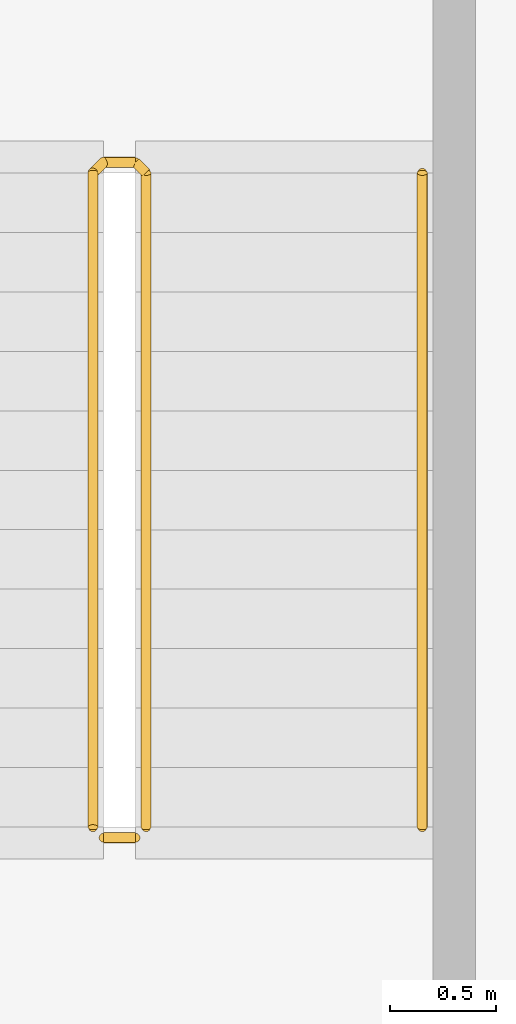
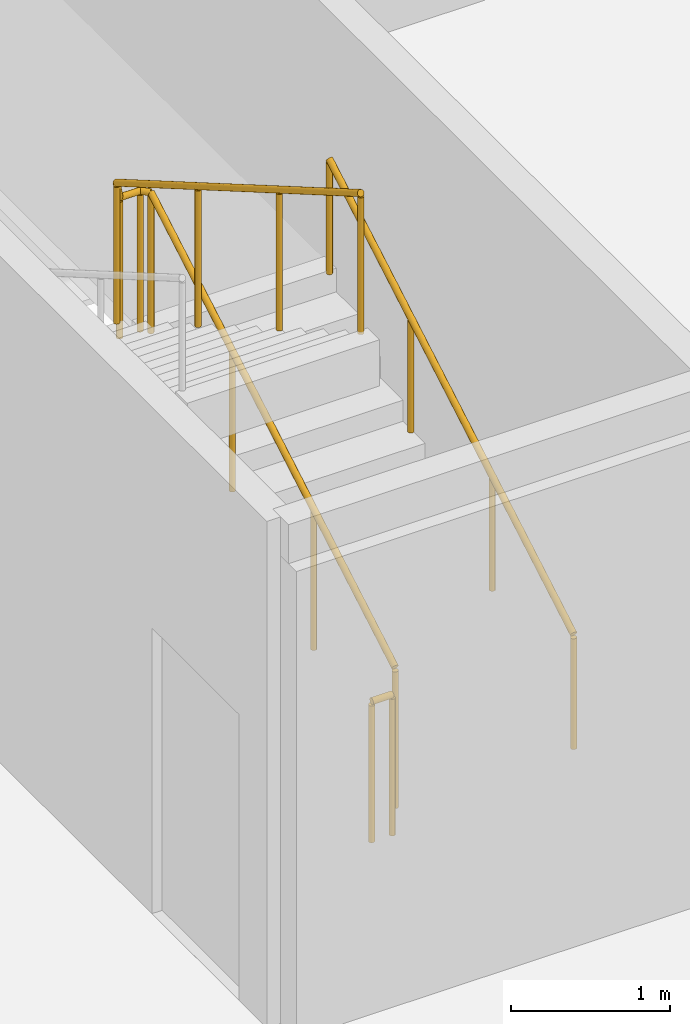
# One storey, part 28 of 29: 3 railings.
"""IFC4 building model written with IfcOpenShell, lengths in metres."""

from ifc_helpers import new_model, si_unit, direction, frame, origin, origin_2d, place, context, subcontext, project, spatial, circle, extrude, material, type_object, element, save


model = new_model("IFC4")

# Units and contexts
model_context = context("Model", 3, precision=1e-05, world=origin(), true_north=direction((0.0, 1.0)))
body_context = subcontext(model_context, "Body", "Model", "MODEL_VIEW")
ifc_project = project(units=[si_unit("LENGTHUNIT", "METRE"), si_unit("AREAUNIT", "SQUARE_METRE"), si_unit("VOLUMEUNIT", "CUBIC_METRE"), si_unit("PLANEANGLEUNIT", "RADIAN"), si_unit("MASSUNIT", "GRAM", prefix="KILO")], contexts=[model_context])

# Site, building, storey
site_placement = place(None, origin())
site = spatial("IfcSite", under=ifc_project, at=site_placement, CompositionType="ELEMENT")
building_placement = place(site_placement, origin())
building = spatial("IfcBuilding", under=site, at=building_placement, Name="Kheshtan School and Residences Tower", CompositionType="ELEMENT")
storey_placement = place(building_placement, frame((0.0, 0.0, 179.89990234375)))
storey = spatial("IfcBuildingStorey", under=building, at=storey_placement, Name="L42", CompositionType="ELEMENT", Elevation=179.89990234375)

# Railings
ifc_material_1 = material(Name="Stainless steel balustrade", Category="steel")
railing_type_1 = type_object("IfcRailingType", Name="Stair guard 1100", PredefinedType="GUARDRAIL", material=ifc_material_1)
railing_1_placement = place(storey_placement, frame((35.0, 80.89990234375, 0.16259765625)))
element("IfcRailing", 1, at=railing_1_placement, inside=storey, type_object=railing_type_1, Name="L42 ST3 stair guard 1", PredefinedType="GUARDRAIL", context=body_context, shape_type="SweptSolid", body=[
    extrude(circle(Radius=0.02392578125, at=origin_2d()), frame((0.0, 0.0, 1.076171875), z_axis=(0.0, 0.864890721111, 0.501960198159), x_axis=(-1.0, 0.0, 0.0)), (0.0, 0.0, 1.0), 3.561279296875),
    extrude(circle(Radius=0.02392578125, at=origin_2d()), frame((0.0, 3.080078125, 2.86376953125), z_axis=(-0.707106781187, 0.707106781187, 0.0), x_axis=(-0.707106781187, -0.707106781187, 0.0)), (0.0, 0.0, 1.0), 0.07080078125),
    extrude(circle(Radius=0.02392578125, at=origin_2d()), frame((-0.050048828125, 3.130126953125, 2.86376953125), z_axis=(-1.0, 0.0, 0.0), x_axis=(0.0, -1.0, 0.0)), (0.0, 0.0, 1.0), 0.14990234375),
    extrude(circle(Radius=0.02392578125, at=origin_2d()), frame((-0.199951171875, 3.130126953125, 2.86376953125), z_axis=(-0.282583949758, -0.282583949758, 0.916674763849), x_axis=(0.707106781187, -0.707106781187, 0.0)), (0.0, 0.0, 1.0), 0.177001953125),
    extrude(circle(Radius=0.02392578125, at=origin_2d()), frame((-0.25, 3.080078125, 3.02587890625), z_axis=(0.0, -0.864890721111, 0.501960198159), x_axis=(1.0, 0.0, 0.0)), (0.0, 0.0, 1.0), 3.561279296875),
    extrude(circle(Radius=0.02099609375, at=origin_2d()), origin(), (0.0, 0.0, 1.0), 1.052001953125),
    extrude(circle(Radius=0.02099609375, at=origin_2d()), frame((0.0, 1.026611328125, 0.595947265625)), (0.0, 0.0, 1.0), 1.052001953125),
    extrude(circle(Radius=0.02099609375, at=origin_2d()), frame((0.0, 2.053466796875, 1.191650390625)), (0.0, 0.0, 1.0), 1.052001953125),
    extrude(circle(Radius=0.02099609375, at=origin_2d()), frame((0.0, 3.080078125, 1.78759765625)), (0.0, 0.0, 1.0), 1.052001953125),
    extrude(circle(Radius=0.02099609375, at=origin_2d()), frame((-0.050048828125, 3.130126953125, 1.78759765625)), (0.0, 0.0, 1.0), 1.052001953125),
    extrude(circle(Radius=0.02099609375, at=origin_2d()), frame((-0.199951171875, 3.130126953125, 1.78759765625)), (0.0, 0.0, 1.0), 1.052001953125),
    extrude(circle(Radius=0.02099609375, at=origin_2d()), frame((-0.25, 3.080078125, 1.949951171875)), (0.0, 0.0, 1.0), 1.052001953125),
    extrude(circle(Radius=0.02099609375, at=origin_2d()), frame((-0.25, 2.053466796875, 2.5458984375)), (0.0, 0.0, 1.0), 1.052001953125),
    extrude(circle(Radius=0.02099609375, at=origin_2d()), frame((-0.25, 1.026611328125, 3.1416015625)), (0.0, 0.0, 1.0), 1.052001953125),
    extrude(circle(Radius=0.02099609375, at=origin_2d()), frame((-0.25, 0.0, 3.737548828125)), (0.0, 0.0, 1.0), 1.052001953125),
])
railing_2_placement = place(storey_placement, frame((34.949951171875, 80.85009765625, 0.0)))
element("IfcRailing", 2, at=railing_2_placement, inside=storey, type_object=railing_type_1, Name="L42 ST3 stair guard 2", PredefinedType="GUARDRAIL", context=body_context, shape_type="SweptSolid", body=[
    extrude(circle(Radius=0.02392578125, at=origin_2d()), frame((0.0, 0.0, 1.076171875), z_axis=(-1.0, 0.0, 0.0), x_axis=(0.0, -1.0, 0.0)), (0.0, 0.0, 1.0), 0.14990234375),
    extrude(circle(Radius=0.02099609375, at=origin_2d()), origin(), (0.0, 0.0, 1.0), 1.052001953125),
    extrude(circle(Radius=0.02099609375, at=origin_2d()), frame((-0.14990234375, 0.0, 0.0)), (0.0, 0.0, 1.0), 1.052001953125),
])
ifc_material_2 = material(Name="Stainless steel handrail", Category="steel")
railing_type_2 = type_object("IfcRailingType", Name="Stair handrail 900", PredefinedType="HANDRAIL", material=ifc_material_2)
railing_3_placement = place(storey_placement, frame((36.300048828125, 80.89990234375, 0.16259765625)))
element("IfcRailing", 3, at=railing_3_placement, inside=storey, type_object=railing_type_2, Name="L42 ST3 stair handrail 1", PredefinedType="HANDRAIL", context=body_context, shape_type="SweptSolid", body=[
    extrude(circle(Radius=0.02392578125, at=origin_2d()), frame((0.0, 0.0, 0.8759765625), z_axis=(0.0, 0.864890721111, 0.501960198159), x_axis=(-1.0, 0.0, 0.0)), (0.0, 0.0, 1.0), 3.561279296875),
    extrude(circle(Radius=0.02099609375, at=origin_2d()), origin(), (0.0, 0.0, 1.0), 0.851806640625),
    extrude(circle(Radius=0.02099609375, at=origin_2d()), frame((0.0, 1.026611328125, 0.595947265625)), (0.0, 0.0, 1.0), 0.851806640625),
    extrude(circle(Radius=0.02099609375, at=origin_2d()), frame((0.0, 2.053466796875, 1.191650390625)), (0.0, 0.0, 1.0), 0.851806640625),
    extrude(circle(Radius=0.02099609375, at=origin_2d()), frame((0.0, 3.080078125, 1.78759765625)), (0.0, 0.0, 1.0), 0.851806640625),
])

save(model, "model.ifc")
